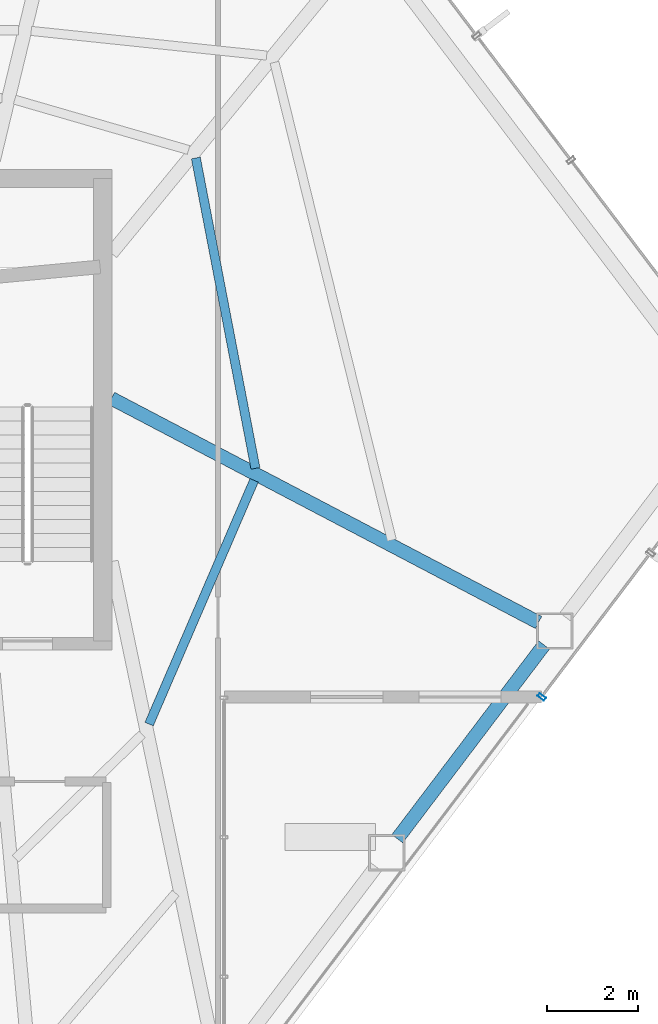
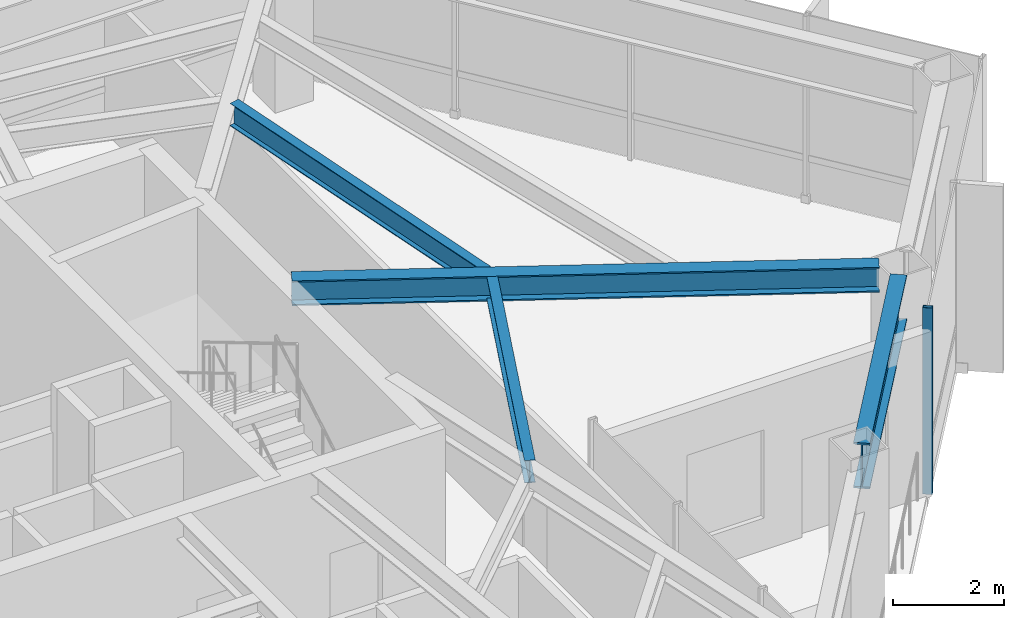
# One storey, part 17 of 27: 4 beams, 1 member, 1 element without a shape of its own.
"""IFC4 building model written with IfcOpenShell, lengths in metres."""

from ifc_helpers import new_model, si_unit, direction, frame, origin, origin_2d, place, context, subcontext, project, spatial, hollow_rectangle, i_section, extrude, material, layer, layer_set, material_profile, profile_set, type_object, element, aggregate, save


model = new_model("IFC4")

# Units and contexts
model_context = context("Model", 3, precision=1e-05, world=origin(), true_north=direction((0.0, 1.0)))
body_context = subcontext(model_context, "Body", "Model", "MODEL_VIEW")
ifc_project = project(units=[si_unit("LENGTHUNIT", "METRE"), si_unit("AREAUNIT", "SQUARE_METRE"), si_unit("VOLUMEUNIT", "CUBIC_METRE"), si_unit("PLANEANGLEUNIT", "RADIAN"), si_unit("MASSUNIT", "GRAM", prefix="KILO")], contexts=[model_context])

# Site, building, storey
site_placement = place(None, origin())
site = spatial("IfcSite", under=ifc_project, at=site_placement, CompositionType="ELEMENT")
building_placement = place(site_placement, origin())
building = spatial("IfcBuilding", under=site, at=building_placement, Name="Zarrinselat Tower", CompositionType="ELEMENT")
storey_placement = place(building_placement, frame((0.0, 0.0, 114.580078125)))
storey = spatial("IfcBuildingStorey", under=building, at=storey_placement, Name="L27", CompositionType="ELEMENT", Elevation=114.580078125)

# Beams
ifc_material_1 = material(Name="Steel S355J2", Category="steel")
ifc_material_profile_1 = material_profile(ifc_material_1, i_section(OverallWidth=0.300048828125, OverallDepth=0.550048828125, WebThickness=0.014892578125, FlangeThickness=0.029052734375, at=origin_2d()), Name="HEB 550")
ifc_profile_set_1 = profile_set([ifc_material_profile_1], Name="Steel S355J2")
beam_type_1 = type_object("IfcBeamType", Name="BM-HEB550", PredefinedType="BEAM", material=ifc_profile_set_1)
beam_1_placement = place(storey_placement, frame((48.449951171875, 38.60009765625, 3.844970703125), z_axis=(0.885502490563, -0.464634629797, 0.0), x_axis=(0.464634629797, 0.885502490563, 0.0)))
element("IfcBeam", 1, at=beam_1_placement, inside=storey, type_object=beam_type_1, Name="L27 Radial Primary Girder RG14", PredefinedType="BEAM", context=body_context, shape_type="SweptSolid", body=[
    extrude(i_section(OverallWidth=0.300048828125, OverallDepth=0.550048828125, WebThickness=0.014892578125, FlangeThickness=0.029052734375, at=origin_2d()), origin(), (0.0, 0.0, 1.0), 10.6376953125),
])
ifc_material_2 = material(Name="Steel S460M", Category="steel")
ifc_material_profile_2 = material_profile(ifc_material_2, i_section(OverallWidth=0.302001953125, OverallDepth=1.008056640625, WebThickness=0.02099609375, FlangeThickness=0.0400390625, at=origin_2d()), Name="HEM 1000")
ifc_profile_set_2 = profile_set([ifc_material_profile_2], Name="Steel S460M")
beam_type_2 = type_object("IfcBeamType", Name="BM-HEM1000", PredefinedType="BEAM", material=ifc_profile_set_2)
beam_2_placement = place(storey_placement, frame((54.75439453125, 28.888671875, 3.615966796875), z_axis=(0.603848041991, 0.797099455641, 0.0), x_axis=(-0.797099455641, 0.603848041991, 0.0)))
element("IfcBeam", 2, at=beam_2_placement, inside=storey, type_object=beam_type_2, Name="L27 Perimeter Spandrel Girder SP13", PredefinedType="BEAM", context=body_context, shape_type="SweptSolid", body=[
    extrude(i_section(OverallWidth=0.302001953125, OverallDepth=1.008056640625, WebThickness=0.02099609375, FlangeThickness=0.0400390625, at=origin_2d()), origin(), (0.0, 0.0, 1.0), 5.3603515625),
])
ifc_material_3 = material(Name="Steel S355J2", Category="steel")
ifc_material_profile_3 = material_profile(ifc_material_3, i_section(OverallWidth=0.199951171875, OverallDepth=0.5, WebThickness=0.01025390625, FlangeThickness=0.01611328125, at=origin_2d()), Name="IPE 500")
ifc_profile_set_3 = profile_set([ifc_material_profile_3], Name="Steel S355J2")
beam_type_3 = type_object("IfcBeamType", Name="BM-IPE500", PredefinedType="JOIST", material=ifc_profile_set_3)
beam_3_placement = place(storey_placement, frame((49.281494140625, 31.41650390625, 3.869873046875), z_axis=(0.39573108095, 0.918366436435, 0.0), x_axis=(-0.918366436435, 0.39573108095, 0.0)))
element("IfcBeam", 3, at=beam_3_placement, inside=storey, type_object=beam_type_3, Name="L27 Composite Floor Joist 4-2", PredefinedType="JOIST", context=body_context, shape_type="SweptSolid", body=[
    extrude(i_section(OverallWidth=0.199951171875, OverallDepth=0.5, WebThickness=0.01025390625, FlangeThickness=0.01611328125, at=origin_2d()), origin(), (0.0, 0.0, 1.0), 5.852294921875),
])
beam_4_placement = place(storey_placement, frame((50.31201171875, 43.90087890625, 3.869873046875), z_axis=(0.188578423099, -0.982058133891, 0.0), x_axis=(0.982058133891, 0.188578423099, 0.0)))
element("IfcBeam", 4, at=beam_4_placement, inside=storey, type_object=beam_type_3, Name="L27 Composite Floor Joist 5-2", PredefinedType="JOIST", context=body_context, shape_type="SweptSolid", body=[
    extrude(i_section(OverallWidth=0.199951171875, OverallDepth=0.5, WebThickness=0.01025390625, FlangeThickness=0.01611328125, at=origin_2d()), origin(), (0.0, 0.0, 1.0), 6.968994140625),
])

# Curtain wall, member
ifc_material_4 = material(Name="Extruded Aluminium Alloy EN AW-6063 T6", Category="aluminium")
ifc_layer = layer(ifc_material_4, 0.195068359375)
ifc_layer_set = layer_set([ifc_layer], Name="Extruded Aluminium Alloy EN AW-6063 T6")
curtain_wall_type = type_object("IfcCurtainWallType", Name="CWS-GDN", PredefinedType="NOTDEFINED", material=ifc_layer_set)
curtain_wall_placement = place(storey_placement, origin())
curtain_wall = element("IfcCurtainWall", 5, at=curtain_wall_placement, inside=storey, type_object=curtain_wall_type, Name="L27 Unitised Curtain Wall CW-L27-E06", PredefinedType="NOTDEFINED")
ifc_material_5 = material(Name="Extruded Aluminium Alloy EN AW-6063 T6", Category="aluminium")
ifc_material_profile_4 = material_profile(ifc_material_5, hollow_rectangle(XDim=0.080078125, YDim=0.179931640625, WallThickness=0.0048828125, at=origin_2d()), Name="RHS 180x80x5")
ifc_profile_set_4 = profile_set([ifc_material_profile_4], Name="Extruded Aluminium Alloy EN AW-6063 T6")
member_type = type_object("IfcMemberType", Name="MEM-CW-MUL", PredefinedType="MULLION", material=ifc_profile_set_4)
member_placement = place(storey_placement, frame((57.9384765625, 32.014892578125, 0.0), z_axis=(0.0, 0.0, 1.0), x_axis=(-0.60386042105, -0.79709007765, 0.0)))
member = element("IfcMember", 6, at=member_placement, type_object=member_type, Name="CW-L27-E06 Mullion 2", PredefinedType="MULLION", context=body_context, shape_type="SweptSolid", body=[
    extrude(hollow_rectangle(XDim=0.080078125, YDim=0.179931640625, WallThickness=0.0048828125, at=origin_2d()), origin(), (0.0, 0.0, 1.0), 4.119873046875),
])
aggregate(curtain_wall, [member])

save(model, "model.ifc")
